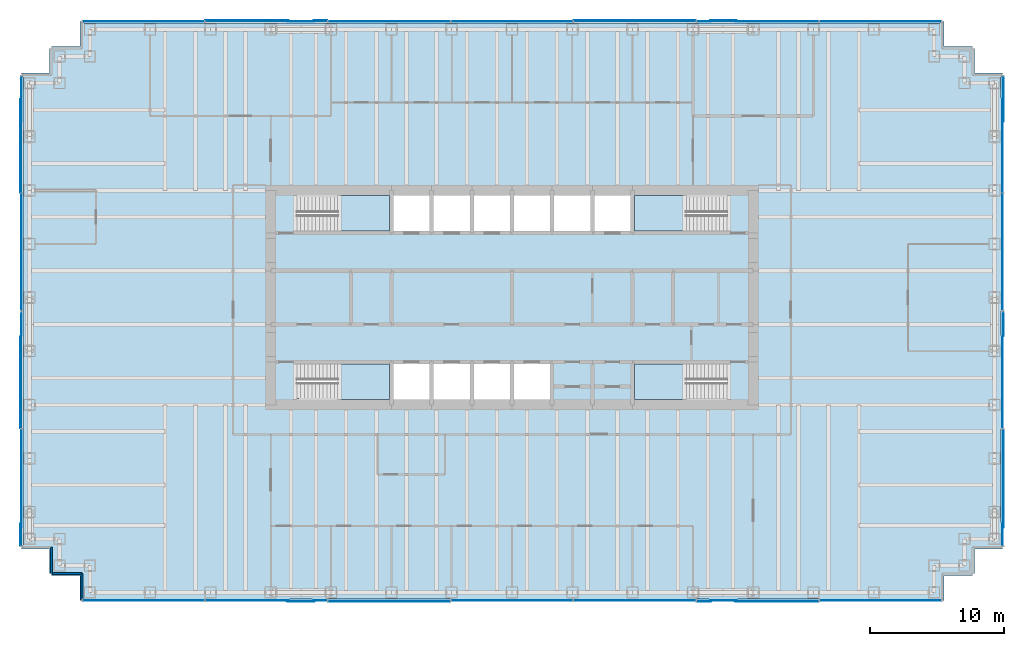
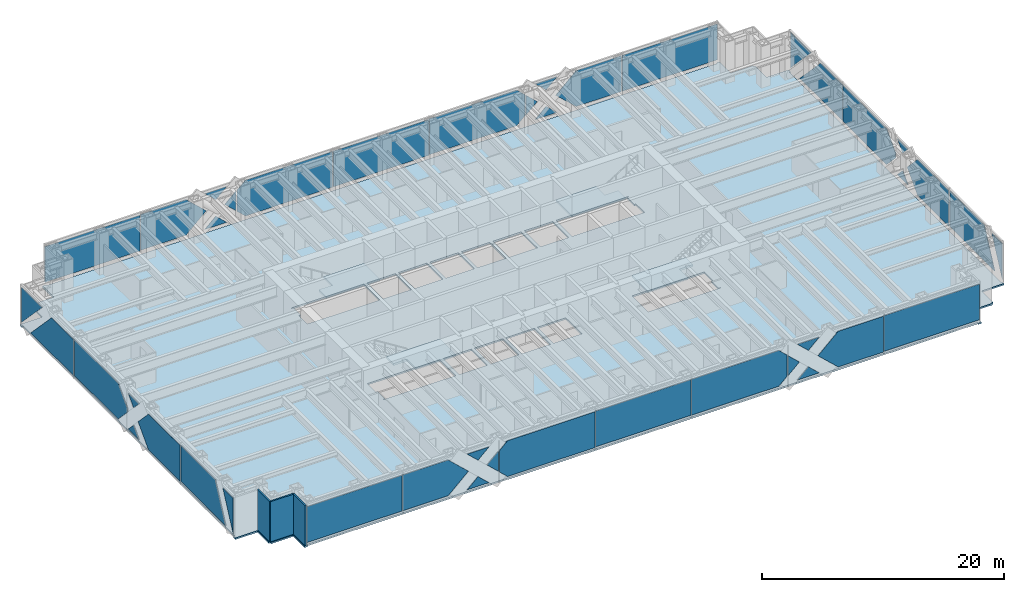
# One storey, part 9 of 14: 42 plates, 5 slabs, 3 walls, 8 elements without a shape of their own.
"""IFC4 building model written with IfcOpenShell, lengths in metres."""

from ifc_helpers import new_model, si_unit, direction, frame, frame_2d, origin, origin_2d, place, context, subcontext, project, spatial, polyline, rectangle, outline, extrude, material, layer, layer_set, type_object, element, aggregate, save


model = new_model("IFC4")

# Units and contexts
model_context = context("Model", 3, precision=1e-05, world=origin(), true_north=direction((0.0, 1.0)))
body_context = subcontext(model_context, "Body", "Model", "MODEL_VIEW")
ifc_project = project(units=[si_unit("LENGTHUNIT", "METRE"), si_unit("AREAUNIT", "SQUARE_METRE"), si_unit("VOLUMEUNIT", "CUBIC_METRE"), si_unit("PLANEANGLEUNIT", "RADIAN"), si_unit("MASSUNIT", "GRAM", prefix="KILO")], contexts=[model_context])

# Site, building, storey
site_placement = place(None, origin())
site = spatial("IfcSite", under=ifc_project, at=site_placement, CompositionType="ELEMENT")
building_placement = place(site_placement, origin())
building = spatial("IfcBuilding", under=site, at=building_placement, Name="Rheinbord Bourse Tower", CompositionType="ELEMENT")
storey_placement = place(building_placement, frame((0.0, 0.0, 198.39990234375)))
storey = spatial("IfcBuildingStorey", under=building, at=storey_placement, Name="L44", CompositionType="ELEMENT", Elevation=198.39990234375)

# Slab
ifc_material_1 = material(Name="Concrete C30/37", Category="concrete")
ifc_layer_1 = layer(ifc_material_1, 0.159912109375)
ifc_layer_set_1 = layer_set([ifc_layer_1], Name="COMPOSITE FLOOR SLAB 160")
slab_type_1 = type_object("IfcSlabType", Name="COMPOSITE FLOOR SLAB 160", PredefinedType="FLOOR", material=ifc_layer_set_1)
slab_1_placement = place(storey_placement, frame((0.0, 0.0, -0.159912109375)))
element("IfcSlab", 1, at=slab_1_placement, inside=storey, type_object=slab_type_1, Name="Floor slab L44", PredefinedType="FLOOR", context=body_context, shape_type="SweptSolid", body=[
    extrude(outline(polyline([(1.64990234375, 3.39990234375), (1.5, 3.39990234375), (1.5, 5.25), (-0.60009765625, 5.25), (-0.60009765625, 5.550048828125), (-0.5, 5.550048828125), (-0.5, 40.449951171875), (-0.60009765625, 40.449951171875), (-0.60009765625, 40.75), (1.5, 40.75), (1.5, 42.60009765625), (1.64990234375, 42.60009765625), (1.64990234375, 42.75), (3.75, 42.75), (3.75, 44.60009765625), (4.050048828125, 44.60009765625), (4.050048828125, 44.5), (67.949951171875, 44.5), (67.949951171875, 44.60009765625), (68.25, 44.60009765625), (68.25, 42.75), (70.35009765625, 42.75), (70.35009765625, 42.60009765625), (70.5, 42.60009765625), (70.5, 40.75), (72.60009765625, 40.75), (72.60009765625, 40.449951171875), (72.5, 40.449951171875), (72.5, 5.550048828125), (72.60009765625, 5.550048828125), (72.60009765625, 5.25), (70.5, 5.25), (70.5, 3.39990234375), (70.35009765625, 3.39990234375), (70.35009765625, 3.25), (68.25, 3.25), (68.25, 1.39990234375), (67.949951171875, 1.39990234375), (67.949951171875, 1.5), (4.050048828125, 1.5), (4.050048828125, 1.39990234375), (3.75, 1.39990234375), (3.75, 3.25), (1.64990234375, 3.25), (1.64990234375, 3.39990234375)]), holes=[polyline([(19.949951171875, 19.050048828125), (26.85009765625, 19.050048828125), (26.85009765625, 16.39990234375), (19.949951171875, 16.39990234375), (19.949951171875, 16.449951171875), (20.10009765625, 16.449951171875), (20.10009765625, 17.64990234375), (19.949951171875, 17.64990234375), (19.949951171875, 19.050048828125)]), polyline([(19.949951171875, 31.60009765625), (26.85009765625, 31.60009765625), (26.85009765625, 28.949951171875), (19.949951171875, 28.949951171875), (19.949951171875, 30.35009765625), (20.10009765625, 30.35009765625), (20.10009765625, 31.550048828125), (19.949951171875, 31.550048828125), (19.949951171875, 31.60009765625)]), polyline([(52.050048828125, 16.39990234375), (45.14990234375, 16.39990234375), (45.14990234375, 19.050048828125), (52.050048828125, 19.050048828125), (52.050048828125, 17.64990234375), (51.89990234375, 17.64990234375), (51.89990234375, 16.449951171875), (52.050048828125, 16.449951171875), (52.050048828125, 16.39990234375)]), polyline([(52.050048828125, 28.949951171875), (45.14990234375, 28.949951171875), (45.14990234375, 31.60009765625), (52.050048828125, 31.60009765625), (52.050048828125, 31.550048828125), (51.89990234375, 31.550048828125), (51.89990234375, 30.35009765625), (52.050048828125, 30.35009765625), (52.050048828125, 28.949951171875)]), polyline([(27.14990234375, 16.39990234375), (27.14990234375, 19.050048828125), (29.85009765625, 19.050048828125), (29.85009765625, 16.39990234375), (27.14990234375, 16.39990234375)]), polyline([(27.14990234375, 28.949951171875), (27.14990234375, 31.60009765625), (29.85009765625, 31.60009765625), (29.85009765625, 28.949951171875), (27.14990234375, 28.949951171875)]), polyline([(30.14990234375, 16.39990234375), (30.14990234375, 19.050048828125), (32.85009765625, 19.050048828125), (32.85009765625, 16.39990234375), (30.14990234375, 16.39990234375)]), polyline([(30.14990234375, 28.949951171875), (30.14990234375, 31.60009765625), (32.85009765625, 31.60009765625), (32.85009765625, 28.949951171875), (30.14990234375, 28.949951171875)]), polyline([(33.14990234375, 16.39990234375), (33.14990234375, 19.050048828125), (35.85009765625, 19.050048828125), (35.85009765625, 16.39990234375), (33.14990234375, 16.39990234375)]), polyline([(33.14990234375, 28.949951171875), (33.14990234375, 31.60009765625), (35.85009765625, 31.60009765625), (35.85009765625, 28.949951171875), (33.14990234375, 28.949951171875)]), polyline([(36.14990234375, 16.39990234375), (36.14990234375, 19.050048828125), (38.85009765625, 19.050048828125), (38.85009765625, 16.39990234375), (36.14990234375, 16.39990234375)]), polyline([(36.14990234375, 28.949951171875), (36.14990234375, 31.60009765625), (38.85009765625, 31.60009765625), (38.85009765625, 28.949951171875), (36.14990234375, 28.949951171875)]), polyline([(39.14990234375, 28.949951171875), (39.14990234375, 31.60009765625), (41.85009765625, 31.60009765625), (41.85009765625, 28.949951171875), (39.14990234375, 28.949951171875)]), polyline([(42.14990234375, 28.949951171875), (42.14990234375, 31.60009765625), (44.85009765625, 31.60009765625), (44.85009765625, 28.949951171875), (42.14990234375, 28.949951171875)])]), origin(), (0.0, 0.0, 1.0), 0.159912109375),
])

# Curtain wall, plates
ifc_material_2 = material(Name="Dark glass and black aluminium", Category="aluminium")
curtain_wall_type = type_object("IfcCurtainWallType", Name="CW2 DARK GLASS CURTAIN WALL", PredefinedType="USERDEFINED", material=ifc_material_2)
curtain_wall_1_placement = place(storey_placement, origin())
curtain_wall_1 = element("IfcCurtainWall", 2, at=curtain_wall_1_placement, inside=storey, type_object=curtain_wall_type, Name="Curtain wall CW2 S L44", ObjectType="UNITISED CURTAIN WALL", PredefinedType="USERDEFINED")
ifc_material_3 = material(Name="Dark tinted triple insulating glass", Category="glass")
ifc_layer_2 = layer(ifc_material_3, 0.050048828125)
ifc_layer_set_2 = layer_set([ifc_layer_2], Name="CW2 DARK GLASS PANEL")
plate_type = type_object("IfcPlateType", Name="CW2 DARK GLASS PANEL", PredefinedType="CURTAIN_PANEL", material=ifc_layer_set_2)
plate_1_placement = place(storey_placement, frame((8.503173828125, 1.39990234375, 0.300048828125), z_axis=(0.0, 0.0, 1.0), x_axis=(1.0, 0.0, 0.0)))
plate_1 = element("IfcPlate", 3, at=plate_1_placement, type_object=plate_type, Name="CW2 panel 1.1", PredefinedType="CURTAIN_PANEL", context=body_context, shape_type="SweptSolid", body=[
    extrude(rectangle(XDim=9.06640625, YDim=0.050048828125, at=origin_2d()), origin(), (0.0, 0.0, 1.0), 3.60009765625),
])
plate_2_placement = place(storey_placement, frame((36.0, 1.39990234375, 0.300048828125), z_axis=(0.0, 0.0, 1.0), x_axis=(1.0, 0.0, 0.0)))
plate_2 = element("IfcPlate", 4, at=plate_2_placement, type_object=plate_type, Name="CW2 panel 4.1", PredefinedType="CURTAIN_PANEL", context=body_context, shape_type="SweptSolid", body=[
    extrude(rectangle(XDim=9.101318359375, YDim=0.050048828125, at=origin_2d()), origin(), (0.0, 0.0, 1.0), 3.60009765625),
])
plate_3_placement = place(storey_placement, frame((63.496826171875, 1.39990234375, 0.300048828125), z_axis=(0.0, 0.0, 1.0), x_axis=(1.0, 0.0, 0.0)))
plate_3 = element("IfcPlate", 5, at=plate_3_placement, type_object=plate_type, Name="CW2 panel 7.1", PredefinedType="CURTAIN_PANEL", context=body_context, shape_type="SweptSolid", body=[
    extrude(rectangle(XDim=9.06640625, YDim=0.050048828125, at=origin_2d()), origin(), (0.0, 0.0, 1.0), 3.60009765625),
])
plate_4_placement = place(storey_placement, frame((13.10595703125, 1.375, 0.300048828125), z_axis=(0.0, 1.0, 0.0), x_axis=(0.0, 0.0, 1.0)))
plate_4 = element("IfcPlate", 6, at=plate_4_placement, type_object=plate_type, Name="CW2 glass facet 1", PredefinedType="CURTAIN_PANEL", context=body_context, shape_type="SweptSolid", body=[
    extrude(outline(polyline([(0.0, 0.0), (3.60009765625, 0.0), (3.60009765625, 4.3291015625), (1.800048828125, 6.257080078125), (0.0, 4.3291015625), (0.0, 0.0)])), origin(), (0.0, 0.0, 1.0), 0.050048828125),
])
plate_5_placement = place(storey_placement, frame((19.2080078125, 1.31982421875, 0.300048828125), z_axis=(0.0, 1.0, 0.0), x_axis=(0.731180589899, 0.0, 0.682183952431)))
plate_5 = element("IfcPlate", 7, at=plate_5_placement, type_object=plate_type, Name="CW2 glass facet 2", PredefinedType="CURTAIN_PANEL", context=body_context, shape_type="SweptSolid", body=[
    extrude(outline(polyline([(0.0, 0.0), (1.425048828125, 0.0), (1.523681640625, 1.421630859375), (0.0, 0.0)])), origin(), (0.0, 0.0, 1.0), 0.050048828125),
])
plate_6_placement = place(storey_placement, frame((21.2919921875, 1.31982421875, 3.900146484375), z_axis=(0.0, 1.0, 0.0), x_axis=(-0.731180589899, 0.0, -0.682183952431)))
plate_6 = element("IfcPlate", 8, at=plate_6_placement, type_object=plate_type, Name="CW2 glass facet 3", PredefinedType="CURTAIN_PANEL", context=body_context, shape_type="SweptSolid", body=[
    extrude(outline(polyline([(0.0, 0.0), (1.425048828125, 0.0), (1.523681640625, 1.421630859375), (0.0, 0.0)])), origin(), (0.0, 0.0, 1.0), 0.050048828125),
])
plate_7_placement = place(storey_placement, frame((22.2080078125, 1.375, 1.10009765625), z_axis=(0.0, 1.0, 0.0), x_axis=(-0.730933363576, 0.0, 0.682448839117)))
plate_7 = element("IfcPlate", 9, at=plate_7_placement, type_object=plate_type, Name="CW2 glass facet 4", PredefinedType="CURTAIN_PANEL", context=body_context, shape_type="SweptSolid", body=[
    extrude(outline(polyline([(0.0, 0.0), (1.46533203125, 0.0), (1.364990234375, 1.4619140625), (0.0, 0.0)])), origin(), (0.0, 0.0, 1.0), 0.050048828125),
])
plate_8_placement = place(storey_placement, frame((31.37890625, 1.31982421875, 3.900146484375), z_axis=(0.0, 1.0, 0.0), x_axis=(0.0, 0.0, -1.0)))
plate_8 = element("IfcPlate", 10, at=plate_8_placement, type_object=plate_type, Name="CW2 glass facet 1", PredefinedType="CURTAIN_PANEL", context=body_context, shape_type="SweptSolid", body=[
    extrude(outline(polyline([(0.0, 0.0), (3.60009765625, 0.0), (3.60009765625, 8.31396484375), (2.864990234375, 9.100830078125), (0.735107421875, 9.100830078125), (0.0, 8.31396484375), (0.0, 0.0)])), origin(), (0.0, 0.0, 1.0), 0.050048828125),
])
plate_9_placement = place(storey_placement, frame((40.62109375, 1.375, 0.300048828125), z_axis=(0.0, 1.0, 0.0), x_axis=(0.0, 0.0, 1.0)))
plate_9 = element("IfcPlate", 11, at=plate_9_placement, type_object=plate_type, Name="CW2 glass facet 1", PredefinedType="CURTAIN_PANEL", context=body_context, shape_type="SweptSolid", body=[
    extrude(outline(polyline([(0.0, 0.0), (3.60009765625, 0.0), (3.60009765625, 8.31396484375), (2.864990234375, 9.100830078125), (0.735107421875, 9.100830078125), (0.0, 8.31396484375), (0.0, 0.0)])), origin(), (0.0, 0.0, 1.0), 0.050048828125),
])
plate_10_placement = place(storey_placement, frame((49.7919921875, 1.31982421875, 3.10009765625), z_axis=(0.0, 1.0, 0.0), x_axis=(0.730933363576, 0.0, -0.682448839117)))
plate_10 = element("IfcPlate", 12, at=plate_10_placement, type_object=plate_type, Name="CW2 glass facet 1", PredefinedType="CURTAIN_PANEL", context=body_context, shape_type="SweptSolid", body=[
    extrude(outline(polyline([(0.0, 0.0), (1.46533203125, 0.0), (1.364990234375, 1.4619140625), (0.0, 0.0)])), origin(), (0.0, 0.0, 1.0), 0.050048828125),
])
plate_11_placement = place(storey_placement, frame((50.7080078125, 1.375, 0.300048828125), z_axis=(0.0, 1.0, 0.0), x_axis=(0.731180589899, 0.0, 0.682183952431)))
plate_11 = element("IfcPlate", 13, at=plate_11_placement, type_object=plate_type, Name="CW2 glass facet 2", PredefinedType="CURTAIN_PANEL", context=body_context, shape_type="SweptSolid", body=[
    extrude(outline(polyline([(0.0, 0.0), (1.425048828125, 0.0), (1.523681640625, 1.421630859375), (0.0, 0.0)])), origin(), (0.0, 0.0, 1.0), 0.050048828125),
])
plate_12_placement = place(storey_placement, frame((52.7919921875, 1.375, 3.900146484375), z_axis=(0.0, 1.0, 0.0), x_axis=(-0.731180589899, 0.0, -0.682183952431)))
plate_12 = element("IfcPlate", 14, at=plate_12_placement, type_object=plate_type, Name="CW2 glass facet 3", PredefinedType="CURTAIN_PANEL", context=body_context, shape_type="SweptSolid", body=[
    extrude(outline(polyline([(0.0, 0.0), (1.425048828125, 0.0), (1.523681640625, 1.421630859375), (0.0, 0.0)])), origin(), (0.0, 0.0, 1.0), 0.050048828125),
])
plate_13_placement = place(storey_placement, frame((58.89404296875, 1.31982421875, 3.900146484375), z_axis=(0.0, 1.0, 0.0), x_axis=(0.0, 0.0, -1.0)))
plate_13 = element("IfcPlate", 15, at=plate_13_placement, type_object=plate_type, Name="CW2 glass facet 4", PredefinedType="CURTAIN_PANEL", context=body_context, shape_type="SweptSolid", body=[
    extrude(outline(polyline([(0.0, 0.0), (3.60009765625, 0.0), (3.60009765625, 4.3291015625), (1.800048828125, 6.257080078125), (0.0, 4.3291015625), (0.0, 0.0)])), origin(), (0.0, 0.0, 1.0), 0.050048828125),
])
aggregate(curtain_wall_1, [plate_1, plate_2, plate_3, plate_4, plate_5, plate_6, plate_7, plate_8, plate_9, plate_10, plate_11, plate_12, plate_13])

curtain_wall_2_placement = place(storey_placement, origin())
curtain_wall_2 = element("IfcCurtainWall", 16, at=curtain_wall_2_placement, inside=storey, type_object=curtain_wall_type, Name="Curtain wall CW2 E L44", ObjectType="UNITISED CURTAIN WALL", PredefinedType="USERDEFINED")
plate_14_placement = place(storey_placement, frame((72.625, 5.469970703125, 0.300048828125), z_axis=(-1.0, 0.0, 0.0), x_axis=(0.0, 0.0, 1.0)))
plate_14 = element("IfcPlate", 17, at=plate_14_placement, type_object=plate_type, Name="CW2 glass facet 1", PredefinedType="CURTAIN_PANEL", context=body_context, shape_type="SweptSolid", body=[
    extrude(outline(polyline([(0.0, 0.0), (3.60009765625, 0.0), (3.60009765625, 1.717041015625), (0.0, 0.0029296875), (0.0, 0.0)])), origin(), (0.0, 0.0, 1.0), 0.050048828125),
])
plate_15_placement = place(storey_placement, frame((72.68017578125, 14.1650390625, 3.900146484375), z_axis=(-1.0, 0.0, 0.0), x_axis=(0.0, 0.0, -1.0)))
plate_15 = element("IfcPlate", 18, at=plate_15_placement, type_object=plate_type, Name="CW2 glass facet 2", PredefinedType="CURTAIN_PANEL", context=body_context, shape_type="SweptSolid", body=[
    extrude(outline(polyline([(0.0, 0.0), (3.60009765625, 0.0), (3.60009765625, 7.35205078125), (0.0, 5.637939453125), (0.0, 0.0)])), origin(), (0.0, 0.0, 1.0), 0.050048828125),
])
plate_16_placement = place(storey_placement, frame((72.625, 14.235107421875, 0.300048828125), z_axis=(-1.0, 0.0, 0.0), x_axis=(0.0, 0.0, 1.0)))
plate_16 = element("IfcPlate", 19, at=plate_16_placement, type_object=plate_type, Name="CW2 glass facet 1", PredefinedType="CURTAIN_PANEL", context=body_context, shape_type="SweptSolid", body=[
    extrude(outline(polyline([(0.0, 0.0), (3.60009765625, 0.0), (3.60009765625, 5.21484375), (1.800048828125, 6.929931640625), (0.0, 5.21484375), (0.0, 0.0)])), origin(), (0.0, 0.0, 1.0), 0.050048828125),
])
plate_17_placement = place(storey_placement, frame((72.68017578125, 21.12109375, 0.300048828125), z_axis=(-1.0, 0.0, 0.0), x_axis=(0.0, 0.689559508121, 0.724229027835)))
plate_17 = element("IfcPlate", 20, at=plate_17_placement, type_object=plate_type, Name="CW2 glass facet 2", PredefinedType="CURTAIN_PANEL", context=body_context, shape_type="SweptSolid", body=[
    extrude(outline(polyline([(0.0, 0.0), (1.274658203125, 0.0), (1.212158203125, 1.27294921875), (0.0, 0.0)])), origin(), (0.0, 0.0, 1.0), 0.050048828125),
])
plate_18_placement = place(storey_placement, frame((72.68017578125, 22.87890625, 3.900146484375), z_axis=(-1.0, 0.0, 0.0), x_axis=(0.0, -0.689559508121, -0.724229027835)))
plate_18 = element("IfcPlate", 21, at=plate_18_placement, type_object=plate_type, Name="CW2 glass facet 3", PredefinedType="CURTAIN_PANEL", context=body_context, shape_type="SweptSolid", body=[
    extrude(outline(polyline([(0.0, 0.0), (1.274658203125, 0.0), (1.212158203125, 1.27294921875), (0.0, 0.0)])), origin(), (0.0, 0.0, 1.0), 0.050048828125),
])
plate_19_placement = place(storey_placement, frame((72.625, 31.764892578125, 3.900146484375), z_axis=(-1.0, 0.0, 0.0), x_axis=(0.0, 0.0, -1.0)))
plate_19 = element("IfcPlate", 22, at=plate_19_placement, type_object=plate_type, Name="CW2 glass facet 1", PredefinedType="CURTAIN_PANEL", context=body_context, shape_type="SweptSolid", body=[
    extrude(outline(polyline([(0.0, 0.0), (3.60009765625, 0.0), (3.60009765625, 7.21484375), (2.009033203125, 8.72998046875), (1.591064453125, 8.72998046875), (0.0, 7.21484375), (0.0, 0.0)])), origin(), (0.0, 0.0, 1.0), 0.050048828125),
])
plate_20_placement = place(storey_placement, frame((72.625, 31.8349609375, 0.300048828125), z_axis=(-1.0, 0.0, 0.0), x_axis=(0.0, 0.0, 1.0)))
plate_20 = element("IfcPlate", 23, at=plate_20_placement, type_object=plate_type, Name="CW2 glass facet 1", PredefinedType="CURTAIN_PANEL", context=body_context, shape_type="SweptSolid", body=[
    extrude(outline(polyline([(0.0, 0.0), (3.60009765625, 0.0), (3.60009765625, 3.614990234375), (0.0, 7.0439453125), (0.0, 0.0)])), origin(), (0.0, 0.0, 1.0), 0.050048828125),
])
plate_21_placement = place(storey_placement, frame((72.68017578125, 40.530029296875, 3.900146484375), z_axis=(-1.0, 0.0, 0.0), x_axis=(0.0, 0.0, -1.0)))
plate_21 = element("IfcPlate", 24, at=plate_21_placement, type_object=plate_type, Name="CW2 glass facet 2", PredefinedType="CURTAIN_PANEL", context=body_context, shape_type="SweptSolid", body=[
    extrude(outline(polyline([(0.0, 0.0), (3.5791015625, 0.0), (0.0, 3.408935546875), (0.0, 0.0)])), origin(), (0.0, 0.0, 1.0), 0.050048828125),
])
aggregate(curtain_wall_2, [plate_14, plate_15, plate_16, plate_17, plate_18, plate_19, plate_20, plate_21])

curtain_wall_3_placement = place(storey_placement, origin())
curtain_wall_3 = element("IfcCurtainWall", 25, at=curtain_wall_3_placement, inside=storey, type_object=curtain_wall_type, Name="Curtain wall CW2 N L44", ObjectType="UNITISED CURTAIN WALL", PredefinedType="USERDEFINED")
plate_22_placement = place(storey_placement, frame((63.496826171875, 44.60009765625, 0.300048828125), z_axis=(0.0, 0.0, 1.0), x_axis=(-1.0, 0.0, 0.0)))
plate_22 = element("IfcPlate", 26, at=plate_22_placement, type_object=plate_type, Name="CW2 panel 1.1", PredefinedType="CURTAIN_PANEL", context=body_context, shape_type="SweptSolid", body=[
    extrude(rectangle(XDim=9.06640625, YDim=0.050048828125, at=origin_2d()), origin(), (0.0, 0.0, 1.0), 3.60009765625),
])
plate_23_placement = place(storey_placement, frame((36.0, 44.60009765625, 0.300048828125), z_axis=(0.0, 0.0, 1.0), x_axis=(-1.0, 0.0, 0.0)))
plate_23 = element("IfcPlate", 27, at=plate_23_placement, type_object=plate_type, Name="CW2 panel 4.1", PredefinedType="CURTAIN_PANEL", context=body_context, shape_type="SweptSolid", body=[
    extrude(rectangle(XDim=9.101318359375, YDim=0.050048828125, at=origin_2d()), origin(), (0.0, 0.0, 1.0), 3.60009765625),
])
plate_24_placement = place(storey_placement, frame((8.503173828125, 44.60009765625, 0.300048828125), z_axis=(0.0, 0.0, 1.0), x_axis=(-1.0, 0.0, 0.0)))
plate_24 = element("IfcPlate", 28, at=plate_24_placement, type_object=plate_type, Name="CW2 panel 7.1", PredefinedType="CURTAIN_PANEL", context=body_context, shape_type="SweptSolid", body=[
    extrude(rectangle(XDim=9.06640625, YDim=0.050048828125, at=origin_2d()), origin(), (0.0, 0.0, 1.0), 3.60009765625),
])
plate_25_placement = place(storey_placement, frame((58.89404296875, 44.625, 0.300048828125), z_axis=(0.0, -1.0, 0.0), x_axis=(0.0, 0.0, 1.0)))
plate_25 = element("IfcPlate", 29, at=plate_25_placement, type_object=plate_type, Name="CW2 glass facet 1", PredefinedType="CURTAIN_PANEL", context=body_context, shape_type="SweptSolid", body=[
    extrude(outline(polyline([(0.0, 0.0), (3.60009765625, 0.0), (3.60009765625, 4.3291015625), (1.800048828125, 6.257080078125), (0.0, 4.3291015625), (0.0, 0.0)])), origin(), (0.0, 0.0, 1.0), 0.050048828125),
])
plate_26_placement = place(storey_placement, frame((52.7919921875, 44.68017578125, 0.300048828125), z_axis=(0.0, -1.0, 0.0), x_axis=(-0.731180589899, 0.0, 0.682183952431)))
plate_26 = element("IfcPlate", 30, at=plate_26_placement, type_object=plate_type, Name="CW2 glass facet 2", PredefinedType="CURTAIN_PANEL", context=body_context, shape_type="SweptSolid", body=[
    extrude(outline(polyline([(0.0, 0.0), (1.425048828125, 0.0), (1.523681640625, 1.421630859375), (0.0, 0.0)])), origin(), (0.0, 0.0, 1.0), 0.050048828125),
])
plate_27_placement = place(storey_placement, frame((50.7080078125, 44.68017578125, 3.900146484375), z_axis=(0.0, -1.0, 0.0), x_axis=(0.731180589899, 0.0, -0.682183952431)))
plate_27 = element("IfcPlate", 31, at=plate_27_placement, type_object=plate_type, Name="CW2 glass facet 3", PredefinedType="CURTAIN_PANEL", context=body_context, shape_type="SweptSolid", body=[
    extrude(outline(polyline([(0.0, 0.0), (1.425048828125, 0.0), (1.523681640625, 1.421630859375), (0.0, 0.0)])), origin(), (0.0, 0.0, 1.0), 0.050048828125),
])
plate_28_placement = place(storey_placement, frame((49.7919921875, 44.625, 1.10009765625), z_axis=(0.0, -1.0, 0.0), x_axis=(0.730933363576, 0.0, 0.682448839117)))
plate_28 = element("IfcPlate", 32, at=plate_28_placement, type_object=plate_type, Name="CW2 glass facet 4", PredefinedType="CURTAIN_PANEL", context=body_context, shape_type="SweptSolid", body=[
    extrude(outline(polyline([(0.0, 0.0), (1.46533203125, 0.0), (1.364990234375, 1.4619140625), (0.0, 0.0)])), origin(), (0.0, 0.0, 1.0), 0.050048828125),
])
plate_29_placement = place(storey_placement, frame((40.62109375, 44.68017578125, 3.900146484375), z_axis=(0.0, -1.0, 0.0), x_axis=(0.0, 0.0, -1.0)))
plate_29 = element("IfcPlate", 33, at=plate_29_placement, type_object=plate_type, Name="CW2 glass facet 1", PredefinedType="CURTAIN_PANEL", context=body_context, shape_type="SweptSolid", body=[
    extrude(outline(polyline([(0.0, 0.0), (3.60009765625, 0.0), (3.60009765625, 8.31396484375), (2.864990234375, 9.100830078125), (0.735107421875, 9.100830078125), (0.0, 8.31396484375), (0.0, 0.0)])), origin(), (0.0, 0.0, 1.0), 0.050048828125),
])
plate_30_placement = place(storey_placement, frame((31.37890625, 44.625, 0.300048828125), z_axis=(0.0, -1.0, 0.0), x_axis=(0.0, 0.0, 1.0)))
plate_30 = element("IfcPlate", 34, at=plate_30_placement, type_object=plate_type, Name="CW2 glass facet 1", PredefinedType="CURTAIN_PANEL", context=body_context, shape_type="SweptSolid", body=[
    extrude(outline(polyline([(0.0, 0.0), (3.60009765625, 0.0), (3.60009765625, 8.31396484375), (2.864990234375, 9.100830078125), (0.735107421875, 9.100830078125), (0.0, 8.31396484375), (0.0, 0.0)])), origin(), (0.0, 0.0, 1.0), 0.050048828125),
])
plate_31_placement = place(storey_placement, frame((22.2080078125, 44.68017578125, 3.10009765625), z_axis=(0.0, -1.0, 0.0), x_axis=(-0.730933363576, 0.0, -0.682448839117)))
plate_31 = element("IfcPlate", 35, at=plate_31_placement, type_object=plate_type, Name="CW2 glass facet 1", PredefinedType="CURTAIN_PANEL", context=body_context, shape_type="SweptSolid", body=[
    extrude(outline(polyline([(0.0, 0.0), (1.46533203125, 0.0), (1.364990234375, 1.4619140625), (0.0, 0.0)])), origin(), (0.0, 0.0, 1.0), 0.050048828125),
])
plate_32_placement = place(storey_placement, frame((21.2919921875, 44.625, 0.300048828125), z_axis=(0.0, -1.0, 0.0), x_axis=(-0.731180589899, 0.0, 0.682183952431)))
plate_32 = element("IfcPlate", 36, at=plate_32_placement, type_object=plate_type, Name="CW2 glass facet 2", PredefinedType="CURTAIN_PANEL", context=body_context, shape_type="SweptSolid", body=[
    extrude(outline(polyline([(0.0, 0.0), (1.425048828125, 0.0), (1.523681640625, 1.421630859375), (0.0, 0.0)])), origin(), (0.0, 0.0, 1.0), 0.050048828125),
])
plate_33_placement = place(storey_placement, frame((19.2080078125, 44.625, 3.900146484375), z_axis=(0.0, -1.0, 0.0), x_axis=(0.731180589899, 0.0, -0.682183952431)))
plate_33 = element("IfcPlate", 37, at=plate_33_placement, type_object=plate_type, Name="CW2 glass facet 3", PredefinedType="CURTAIN_PANEL", context=body_context, shape_type="SweptSolid", body=[
    extrude(outline(polyline([(0.0, 0.0), (1.425048828125, 0.0), (1.523681640625, 1.421630859375), (0.0, 0.0)])), origin(), (0.0, 0.0, 1.0), 0.050048828125),
])
plate_34_placement = place(storey_placement, frame((13.10595703125, 44.68017578125, 3.900146484375), z_axis=(0.0, -1.0, 0.0), x_axis=(0.0, 0.0, -1.0)))
plate_34 = element("IfcPlate", 38, at=plate_34_placement, type_object=plate_type, Name="CW2 glass facet 4", PredefinedType="CURTAIN_PANEL", context=body_context, shape_type="SweptSolid", body=[
    extrude(outline(polyline([(0.0, 0.0), (3.60009765625, 0.0), (3.60009765625, 4.3291015625), (1.800048828125, 6.257080078125), (0.0, 4.3291015625), (0.0, 0.0)])), origin(), (0.0, 0.0, 1.0), 0.050048828125),
])
aggregate(curtain_wall_3, [plate_22, plate_23, plate_24, plate_25, plate_26, plate_27, plate_28, plate_29, plate_30, plate_31, plate_32, plate_33, plate_34])

curtain_wall_4_placement = place(storey_placement, origin())
curtain_wall_4 = element("IfcCurtainWall", 39, at=curtain_wall_4_placement, inside=storey, type_object=curtain_wall_type, Name="Curtain wall CW2 W L44", ObjectType="UNITISED CURTAIN WALL", PredefinedType="USERDEFINED")
plate_35_placement = place(storey_placement, frame((-0.625, 40.530029296875, 3.900146484375), z_axis=(1.0, 0.0, 0.0), x_axis=(0.0, -1.0, 0.0)))
plate_35 = element("IfcPlate", 40, at=plate_35_placement, type_object=plate_type, Name="CW2 glass facet 1", PredefinedType="CURTAIN_PANEL", context=body_context, shape_type="SweptSolid", body=[
    extrude(outline(polyline([(0.0, 0.0), (3.408935546875, 0.0), (0.0, 3.5791015625), (0.0, 0.0)])), origin(), (0.0, 0.0, 1.0), 0.050048828125),
])
plate_36_placement = place(storey_placement, frame((-0.68017578125, 31.8349609375, 3.900146484375), z_axis=(1.0, 0.0, 0.0), x_axis=(0.0, 0.0, -1.0)))
plate_36 = element("IfcPlate", 41, at=plate_36_placement, type_object=plate_type, Name="CW2 glass facet 2", PredefinedType="CURTAIN_PANEL", context=body_context, shape_type="SweptSolid", body=[
    extrude(outline(polyline([(0.0, 0.0), (3.60009765625, 0.0), (3.60009765625, 7.0439453125), (0.0, 3.614990234375), (0.0, 0.0)])), origin(), (0.0, 0.0, 1.0), 0.050048828125),
])
plate_37_placement = place(storey_placement, frame((-0.625, 31.764892578125, 0.300048828125), z_axis=(1.0, 0.0, 0.0), x_axis=(0.0, 0.0, 1.0)))
plate_37 = element("IfcPlate", 42, at=plate_37_placement, type_object=plate_type, Name="CW2 glass facet 1", PredefinedType="CURTAIN_PANEL", context=body_context, shape_type="SweptSolid", body=[
    extrude(outline(polyline([(0.0, 0.0), (3.60009765625, 0.0), (3.60009765625, 7.21484375), (2.009033203125, 8.72998046875), (1.591064453125, 8.72998046875), (0.0, 7.21484375), (0.0, 0.0)])), origin(), (0.0, 0.0, 1.0), 0.050048828125),
])
plate_38_placement = place(storey_placement, frame((-0.625, 22.87890625, 0.300048828125), z_axis=(1.0, 0.0, 0.0), x_axis=(0.0, -0.689559508121, 0.724229027835)))
plate_38 = element("IfcPlate", 43, at=plate_38_placement, type_object=plate_type, Name="CW2 glass facet 1", PredefinedType="CURTAIN_PANEL", context=body_context, shape_type="SweptSolid", body=[
    extrude(outline(polyline([(0.0, 0.0), (1.274658203125, 0.0), (1.212158203125, 1.27294921875), (0.0, 0.0)])), origin(), (0.0, 0.0, 1.0), 0.050048828125),
])
plate_39_placement = place(storey_placement, frame((-0.625, 21.12109375, 3.900146484375), z_axis=(1.0, 0.0, 0.0), x_axis=(0.0, 0.689559508121, -0.724229027835)))
plate_39 = element("IfcPlate", 44, at=plate_39_placement, type_object=plate_type, Name="CW2 glass facet 2", PredefinedType="CURTAIN_PANEL", context=body_context, shape_type="SweptSolid", body=[
    extrude(outline(polyline([(0.0, 0.0), (1.274658203125, 0.0), (1.212158203125, 1.27294921875), (0.0, 0.0)])), origin(), (0.0, 0.0, 1.0), 0.050048828125),
])
plate_40_placement = place(storey_placement, frame((-0.68017578125, 14.235107421875, 3.900146484375), z_axis=(1.0, 0.0, 0.0), x_axis=(0.0, 0.0, -1.0)))
plate_40 = element("IfcPlate", 45, at=plate_40_placement, type_object=plate_type, Name="CW2 glass facet 3", PredefinedType="CURTAIN_PANEL", context=body_context, shape_type="SweptSolid", body=[
    extrude(outline(polyline([(0.0, 0.0), (3.60009765625, 0.0), (3.60009765625, 5.21484375), (1.800048828125, 6.929931640625), (0.0, 5.21484375), (0.0, 0.0)])), origin(), (0.0, 0.0, 1.0), 0.050048828125),
])
plate_41_placement = place(storey_placement, frame((-0.625, 14.1650390625, 0.300048828125), z_axis=(1.0, 0.0, 0.0), x_axis=(0.0, 0.0, 1.0)))
plate_41 = element("IfcPlate", 46, at=plate_41_placement, type_object=plate_type, Name="CW2 glass facet 1", PredefinedType="CURTAIN_PANEL", context=body_context, shape_type="SweptSolid", body=[
    extrude(outline(polyline([(0.0, 0.0), (3.60009765625, 0.0), (3.60009765625, 5.637939453125), (0.0, 7.35205078125), (0.0, 0.0)])), origin(), (0.0, 0.0, 1.0), 0.050048828125),
])
plate_42_placement = place(storey_placement, frame((-0.68017578125, 5.469970703125, 3.900146484375), z_axis=(1.0, 0.0, 0.0), x_axis=(0.0, 0.0, -1.0)))
plate_42 = element("IfcPlate", 47, at=plate_42_placement, type_object=plate_type, Name="CW2 glass facet 2", PredefinedType="CURTAIN_PANEL", context=body_context, shape_type="SweptSolid", body=[
    extrude(outline(polyline([(0.0, 0.0), (3.60009765625, 0.0), (3.60009765625, 0.0029296875), (0.0, 1.717041015625), (0.0, 0.0)])), origin(), (0.0, 0.0, 1.0), 0.050048828125),
])
aggregate(curtain_wall_4, [plate_35, plate_36, plate_37, plate_38, plate_39, plate_40, plate_41, plate_42])

# Stair, slab
ifc_material_4 = material(Name="Concrete C30/37", Category="concrete")
stair_type = type_object("IfcStairType", Name="CORE STAIR HALF TURN 4200", PredefinedType="HALF_TURN_STAIR", material=ifc_material_4)
stair_1_placement = place(storey_placement, origin())
stair_1 = element("IfcStair", 48, at=stair_1_placement, inside=storey, type_object=stair_type, Name="Stair ST1 L44, type CS6", PredefinedType="HALF_TURN_STAIR")
ifc_material_5 = material(Name="Concrete C30/37", Category="concrete")
ifc_layer_3 = layer(ifc_material_5, 0.199951171875)
ifc_layer_set_3 = layer_set([ifc_layer_3], Name="STAIR LANDING 200")
slab_type_2 = type_object("IfcSlabType", Name="STAIR LANDING 200", PredefinedType="LANDING", material=ifc_layer_set_3)
slab_2_placement = place(storey_placement, frame((0.0, 0.0, 1.900146484375)))
slab_2 = element("IfcSlab", 49, at=slab_2_placement, type_object=slab_type_2, Name="Half landing ST1 L44", PredefinedType="LANDING", context=body_context, shape_type="SweptSolid", body=[
    extrude(outline(polyline([(23.030029296875, 16.39990234375), (26.85009765625, 16.39990234375), (26.85009765625, 19.050048828125), (21.748046875, 19.050048828125), (21.748046875, 17.85009765625), (23.030029296875, 17.85009765625), (23.030029296875, 16.39990234375)])), origin(), (0.0, 0.0, 1.0), 0.199951171875),
])
aggregate(stair_1, [slab_2])

stair_2_placement = place(storey_placement, origin())
stair_2 = element("IfcStair", 50, at=stair_2_placement, inside=storey, type_object=stair_type, Name="Stair ST2 L44, type CS6", PredefinedType="HALF_TURN_STAIR")
slab_3_placement = place(storey_placement, frame((0.0, 0.0, 1.900146484375)))
slab_3 = element("IfcSlab", 51, at=slab_3_placement, type_object=slab_type_2, Name="Half landing ST2 L44", PredefinedType="LANDING", context=body_context, shape_type="SweptSolid", body=[
    extrude(outline(polyline([(21.748046875, 28.949951171875), (26.85009765625, 28.949951171875), (26.85009765625, 31.60009765625), (23.030029296875, 31.60009765625), (23.030029296875, 30.14990234375), (21.748046875, 30.14990234375), (21.748046875, 28.949951171875)])), origin(), (0.0, 0.0, 1.0), 0.199951171875),
])
aggregate(stair_2, [slab_3])

stair_3_placement = place(storey_placement, origin())
stair_3 = element("IfcStair", 52, at=stair_3_placement, inside=storey, type_object=stair_type, Name="Stair ST3 L44, type CS6", PredefinedType="HALF_TURN_STAIR")
slab_4_placement = place(storey_placement, frame((0.0, 0.0, 1.900146484375)))
slab_4 = element("IfcSlab", 53, at=slab_4_placement, type_object=slab_type_2, Name="Half landing ST3 L44", PredefinedType="LANDING", context=body_context, shape_type="SweptSolid", body=[
    extrude(outline(polyline([(45.14990234375, 16.39990234375), (48.969970703125, 16.39990234375), (48.969970703125, 17.85009765625), (50.251953125, 17.85009765625), (50.251953125, 19.050048828125), (45.14990234375, 19.050048828125), (45.14990234375, 16.39990234375)])), origin(), (0.0, 0.0, 1.0), 0.199951171875),
])
aggregate(stair_3, [slab_4])

stair_4_placement = place(storey_placement, origin())
stair_4 = element("IfcStair", 54, at=stair_4_placement, inside=storey, type_object=stair_type, Name="Stair ST4 L44, type CS6", PredefinedType="HALF_TURN_STAIR")
slab_5_placement = place(storey_placement, frame((0.0, 0.0, 1.900146484375)))
slab_5 = element("IfcSlab", 55, at=slab_5_placement, type_object=slab_type_2, Name="Half landing ST4 L44", PredefinedType="LANDING", context=body_context, shape_type="SweptSolid", body=[
    extrude(outline(polyline([(45.14990234375, 28.949951171875), (50.251953125, 28.949951171875), (50.251953125, 30.14990234375), (48.969970703125, 30.14990234375), (48.969970703125, 31.60009765625), (45.14990234375, 31.60009765625), (45.14990234375, 28.949951171875)])), origin(), (0.0, 0.0, 1.0), 0.199951171875),
])
aggregate(stair_4, [slab_5])

# Walls
ifc_material_6 = material(Name="Black metal rainscreen panel", Category="aluminium")
ifc_layer_4 = layer(ifc_material_6, 0.14990234375)
ifc_layer_set_4 = layer_set([ifc_layer_4], Name="CORNER PIER CLADDING 150")
wall_type = type_object("IfcWallType", Name="CORNER PIER CLADDING 150", PredefinedType="ELEMENTEDWALL", material=ifc_layer_set_4)
wall_1_placement = place(storey_placement, frame((1.64990234375, 5.39990234375, 0.0), z_axis=(0.0, 0.0, 1.0), x_axis=(0.0, -1.0, 0.0)))
element("IfcWall", 56, at=wall_1_placement, inside=storey, type_object=wall_type, Name="Corner pier cladding L44 18", PredefinedType="ELEMENTEDWALL", context=body_context, shape_type="SweptSolid", body=[
    extrude(rectangle(XDim=2.0, YDim=0.14990234375, at=frame_2d((1.0, 0.0))), origin(), (0.0, 0.0, 1.0), 4.0400390625),
])
wall_2_placement = place(storey_placement, frame((1.64990234375, 3.39990234375, 0.0), z_axis=(0.0, 0.0, 1.0), x_axis=(1.0, 0.0, 0.0)))
element("IfcWall", 57, at=wall_2_placement, inside=storey, type_object=wall_type, Name="Corner pier cladding L44 19", PredefinedType="ELEMENTEDWALL", context=body_context, shape_type="SweptSolid", body=[
    extrude(rectangle(XDim=2.25, YDim=0.14990234375, at=frame_2d((1.125, 0.0))), origin(), (0.0, 0.0, 1.0), 4.0400390625),
])
wall_3_placement = place(storey_placement, frame((3.89990234375, 3.39990234375, 0.0), z_axis=(0.0, 0.0, 1.0), x_axis=(0.0, -1.0, 0.0)))
element("IfcWall", 58, at=wall_3_placement, inside=storey, type_object=wall_type, Name="Corner pier cladding L44 20", PredefinedType="ELEMENTEDWALL", context=body_context, shape_type="SweptSolid", body=[
    extrude(rectangle(XDim=2.0, YDim=0.14990234375, at=frame_2d((1.0, 0.0))), origin(), (0.0, 0.0, 1.0), 4.0400390625),
])

save(model, "model.ifc")
